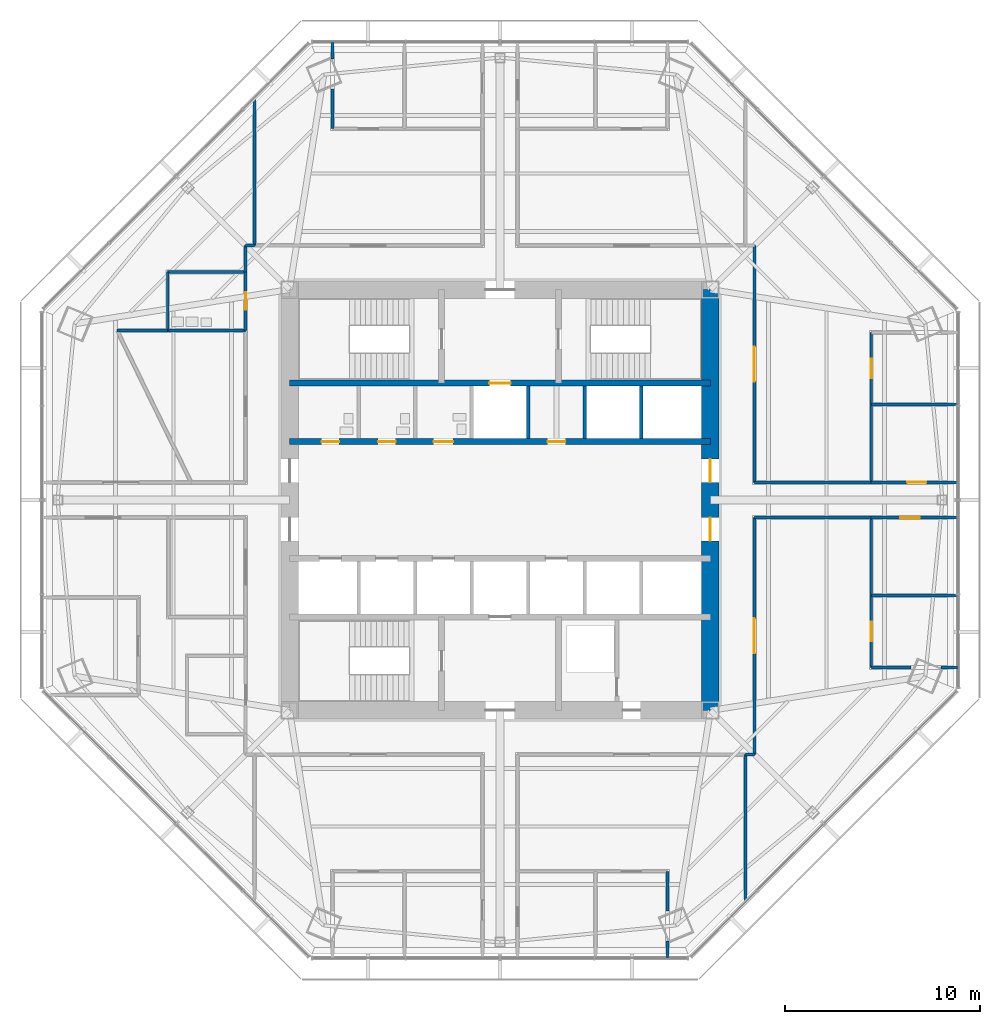
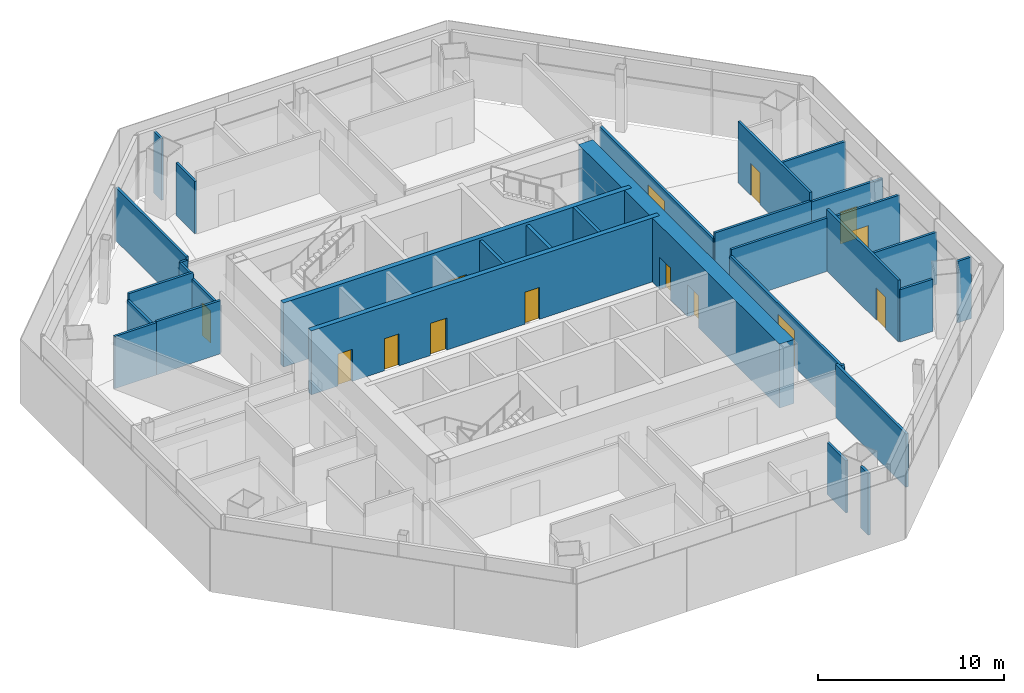
# One storey, part 10 of 15: 32 walls, 14 doors, 14 openings.
"""IFC4 building model written with IfcOpenShell, lengths in metres."""

import ifcopenshell
import ifcopenshell.guid

model = None  # the IFC model being written
_history = None  # IfcOwnerHistory: only IFC2X3 demands one
_inside = {}  # id of a spatial element -> (the spatial element, [elements in it])
_under = {}  # id of a project, library or spatial element -> (it, [spatial elements below it])
_declared = {}  # id of a project -> (the project, [libraries it declares])
_typed = {}  # id of a type object -> (the type object, [elements of that type])
_made_of = {}  # id of a material, layer set ... -> (it, [elements and type objects made of it])


def new_model(schema):
    """Start an empty IFC model of exactly this schema.

    Asked for "IFC4X3", IfcOpenShell would pick the latest addendum, in which some entities
    have other attributes; the version numbers below select the first issue.
    IFC2X3 requires an IfcOwnerHistory on every rooted entity: one is made here for all.
    """
    global model, _history
    if schema == "IFC4X3":
        model = ifcopenshell.file(schema_version=(4, 3, 0, 0))
    else:
        model = ifcopenshell.file(schema=schema)
    _inside.clear()
    _under.clear()
    _declared.clear()
    _typed.clear()
    _made_of.clear()
    _history = None
    if model.schema == "IFC2X3":
        org = make("IfcOrganization", Name="unknown")
        user = make(
            "IfcPersonAndOrganization",
            ThePerson=make("IfcPerson", FamilyName="unknown"),
            TheOrganization=org,
        )
        app = make(
            "IfcApplication",
            ApplicationDeveloper=org,
            Version="unknown",
            ApplicationFullName="unknown",
            ApplicationIdentifier="unknown",
        )
        _history = make(
            "IfcOwnerHistory",
            OwningUser=user,
            OwningApplication=app,
            ChangeAction="ADDED",
            CreationDate=0,
        )
    return model


def make(cls, **values):
    """One entity of the class cls with the attributes given. An attribute that is None is left unset."""
    return model.create_entity(
        cls, **{name: value for name, value in values.items() if value is not None}
    )


def rooted(cls, **values):
    """An entity with a GlobalId (a new one), such as an element, a storey or a relation."""
    return make(cls, GlobalId=ifcopenshell.guid.new(), OwnerHistory=_history, **values)


def si_unit(unit_type, name, prefix=None):
    """IfcSIUnit, for example si_unit("LENGTHUNIT", "METRE", prefix="MILLI")."""
    return make("IfcSIUnit", UnitType=unit_type, Prefix=prefix, Name=name)


def assignment(units):
    """IfcUnitAssignment: the units of a project."""
    return None if units is None else make("IfcUnitAssignment", Units=units)


def point(xyz):
    """IfcCartesianPoint."""
    return None if xyz is None else make("IfcCartesianPoint", Coordinates=xyz)


def direction(xyz):
    """IfcDirection."""
    return None if xyz is None else make("IfcDirection", DirectionRatios=xyz)


def frame(location, z_axis=None, x_axis=None):
    """IfcAxis2Placement3D, a coordinate frame: its origin and axes. An axis left out is left unset."""
    return make(
        "IfcAxis2Placement3D",
        Location=point(location),
        Axis=direction(z_axis),
        RefDirection=direction(x_axis),
    )


def frame_2d(location, x_axis=None):
    """IfcAxis2Placement2D, a coordinate frame in the plane: its origin and x axis."""
    return make(
        "IfcAxis2Placement2D", Location=point(location), RefDirection=direction(x_axis)
    )


def origin():
    """The frame at (0, 0, 0) with its axes left unset."""
    return frame((0.0, 0.0, 0.0))


def place(relative_to, where):
    """IfcLocalPlacement: puts the frame where relative to a parent placement (None: the world)."""
    return make(
        "IfcLocalPlacement", PlacementRelTo=relative_to, RelativePlacement=where
    )


def context(
    kind, dimensions, precision=None, world=None, true_north=None, identifier=None
):
    """IfcGeometricRepresentationContext, for example the 3D "Model" context."""
    return make(
        "IfcGeometricRepresentationContext",
        ContextIdentifier=identifier,
        ContextType=kind,
        CoordinateSpaceDimension=dimensions,
        Precision=precision,
        WorldCoordinateSystem=world,
        TrueNorth=true_north,
    )


def subcontext(parent, identifier, kind, view, scale=None):
    """IfcGeometricRepresentationSubContext, for example "Body" below "Model"."""
    return make(
        "IfcGeometricRepresentationSubContext",
        ContextIdentifier=identifier,
        ContextType=kind,
        ParentContext=parent,
        TargetScale=scale,
        TargetView=view,
    )


def project(units=None, contexts=None):
    """IfcProject with its units and contexts."""
    return rooted(
        "IfcProject",
        Name="project",
        RepresentationContexts=contexts,
        UnitsInContext=assignment(units),
    )


def spatial(cls, under=None, at=None, **own):
    """A site, building, storey or space (cls), placed at a placement, below another one or the project."""
    s = rooted(cls, ObjectPlacement=at, **own)
    if under is not None:
        _under.setdefault(under.id(), (under, []))[1].append(s)
    return s


def profile(cls, at=None, kind="AREA", **sizes):
    """A parametric profile (cls). Its sizes go by their IFC names, for example OverallWidth=200.0."""
    return make(cls, ProfileType=kind, Position=at, **sizes)


def rectangle(**sizes):
    """IfcRectangleProfileDef."""
    return profile("IfcRectangleProfileDef", **sizes)


def extrude(swept, where, along, depth):
    """IfcExtrudedAreaSolid: the profile swept, set in the frame where, extruded along a direction by depth."""
    return make(
        "IfcExtrudedAreaSolid",
        SweptArea=swept,
        Position=where,
        ExtrudedDirection=direction(along),
        Depth=depth,
    )


def shape(context_of_items, identifier, shape_type, items):
    """IfcShapeRepresentation: the items that make up one representation, for example the "Body"."""
    return make(
        "IfcShapeRepresentation",
        ContextOfItems=context_of_items,
        RepresentationIdentifier=identifier,
        RepresentationType=shape_type,
        Items=items,
    )


def material(Name=None, Category=None):
    """IfcMaterial."""
    return make("IfcMaterial", Name=Name, Category=Category)


def layer(
    of_material, thickness, ventilated=None, Name=None, Category=None, Priority=None
):
    """IfcMaterialLayer: one layer of a wall or slab, of a material (None: an air gap)."""
    return make(
        "IfcMaterialLayer",
        Material=of_material,
        LayerThickness=thickness,
        IsVentilated=ventilated,
        Name=Name,
        Category=Category,
        Priority=Priority,
    )


def layer_set(layers, Name=None):
    """IfcMaterialLayerSet."""
    return make("IfcMaterialLayerSet", MaterialLayers=layers, LayerSetName=Name)


def made_of(thing, what):
    """Note that an element or type object is made of a material, layer set ...; save() writes the relation."""
    if what is not None:
        _made_of.setdefault(what.id(), (what, []))[1].append(thing)
    return thing


def type_object(cls, material=None, **own):
    """A type object (cls), such as IfcWallType, which elements share."""
    return made_of(rooted(cls, **own), material)


def element(
    cls,
    number,
    at=None,
    inside=None,
    cuts=None,
    type_object=None,
    material=None,
    context=None,
    identifier="Body",
    shape_type=None,
    held_by="IfcProductDefinitionShape",
    body=None,
    shapes=None,
    **own,
):
    """One element of the class cls, such as IfcWall. Its Tag is "e" and its number.

    at: its placement. inside: the storey or other place that contains it. cuts: it is an
    opening in that element (IfcRelVoidsElement). A single representation is given by context,
    identifier, shape_type and body (its items); several are given by shapes. held_by: the class
    of the entity that holds the representations. save() writes the other relations.
    """
    e = rooted(cls, Tag="e%d" % number, ObjectPlacement=at, **own)
    if body is not None:
        shapes = [shape(context, identifier, shape_type, body)]
    if shapes is not None:
        e.Representation = make(held_by, Representations=shapes)
    if inside is not None:
        _inside.setdefault(inside.id(), (inside, []))[1].append(e)
    if cuts is not None:
        rooted(
            "IfcRelVoidsElement", RelatingBuildingElement=cuts, RelatedOpeningElement=e
        )
    if type_object is not None:
        _typed.setdefault(type_object.id(), (type_object, []))[1].append(e)
    return made_of(e, material)


def fill(opening, filler):
    """IfcRelFillsElement: the door or window that sits in an opening."""
    return rooted(
        "IfcRelFillsElement",
        RelatingOpeningElement=opening,
        RelatedBuildingElement=filler,
    )


def aggregate(whole, parts):
    """IfcRelAggregates: a whole, such as a stair, and the parts it consists of."""
    return rooted("IfcRelAggregates", RelatingObject=whole, RelatedObjects=parts)


def save(model, path):
    """Write the relations noted so far, then the file.

    IfcRelAggregates (storeys below a building ...), IfcRelContainedInSpatialStructure (elements
    in a storey), IfcRelDefinesByType, IfcRelAssociatesMaterial and IfcRelDeclares: one each for
    every whole, place, type object, material and project.
    """
    for whole, parts in _under.values():
        aggregate(whole, parts)
    for where, things in _inside.values():
        rooted(
            "IfcRelContainedInSpatialStructure",
            RelatedElements=things,
            RelatingStructure=where,
        )
    for kind, things in _typed.values():
        rooted("IfcRelDefinesByType", RelatedObjects=things, RelatingType=kind)
    for what, things in _made_of.values():
        rooted("IfcRelAssociatesMaterial", RelatedObjects=things, RelatingMaterial=what)
    for by, libraries in _declared.values():
        rooted("IfcRelDeclares", RelatingContext=by, RelatedDefinitions=libraries)
    model.write(path)


model = new_model("IFC4")

# Units and contexts
model_context = context("Model", 3, precision=1e-05, world=origin(), true_north=direction((0.0, 1.0)))
body_context = subcontext(model_context, "Body", "Model", "MODEL_VIEW")
ifc_project = project(units=[si_unit("LENGTHUNIT", "METRE"), si_unit("AREAUNIT", "SQUARE_METRE"), si_unit("VOLUMEUNIT", "CUBIC_METRE"), si_unit("PLANEANGLEUNIT", "RADIAN"), si_unit("MASSUNIT", "GRAM", prefix="KILO")], contexts=[model_context])

# Site, building, storey
site_placement = place(None, origin())
site = spatial("IfcSite", under=ifc_project, at=site_placement, CompositionType="ELEMENT")
building_placement = place(site_placement, origin())
building = spatial("IfcBuilding", under=site, at=building_placement, Name="Mashrafa Tower", CompositionType="ELEMENT")
storey_placement = place(building_placement, frame((0.0, 0.0, 159.60009765625)))
storey = spatial("IfcBuildingStorey", under=building, at=storey_placement, Name="L36", CompositionType="ELEMENT", Elevation=159.60009765625)

# Wall, openings, doors
ifc_material_1 = material(Name="Concrete C60/75", Category="concrete")
ifc_layer_1 = layer(ifc_material_1, 0.300048828125)
ifc_layer_set_1 = layer_set([ifc_layer_1], Name="Core wall 300 C60/75")
wall_type_1 = type_object("IfcWallType", Name="Core wall 300 C60/75", PredefinedType="SOLIDWALL", material=ifc_layer_set_1)
wall_1_placement = place(storey_placement, frame((-10.800048828125, 3.0, 0.0), z_axis=(0.0, 0.0, 1.0), x_axis=(1.0, 0.0, 0.0)))
wall_1 = element("IfcWall", 1, at=wall_1_placement, inside=storey, type_object=wall_type_1, Name="Core wall CH-N L36", PredefinedType="SOLIDWALL", context=body_context, shape_type="SweptSolid", body=[
    extrude(rectangle(XDim=21.60009765625, YDim=0.300048828125, at=frame_2d((10.800048828125, 0.0))), origin(), (0.0, 0.0, 1.0), 4.199951171875),
])
opening_1_placement = place(wall_1_placement, frame((1.64990234375, 0.0, 0.0)))
opening_1 = element("IfcOpeningElement", 2, at=opening_1_placement, cuts=wall_1, Name="Opening 36.037", PredefinedType="OPENING", context=body_context, shape_type="SweptSolid", body=[
    extrude(rectangle(XDim=0.89990234375, YDim=2.10009765625, at=frame_2d((0.449951171875, 1.050048828125))), frame((0.0, 0.159912109375, 0.0), z_axis=(0.0, -1.0, 0.0), x_axis=(1.0, 0.0, 0.0)), (0.0, 0.0, 1.0), 0.320068359375),
])
opening_2_placement = place(wall_1_placement, frame((4.550048828125, 0.0, 0.0)))
opening_2 = element("IfcOpeningElement", 3, at=opening_2_placement, cuts=wall_1, Name="Opening 36.038", PredefinedType="OPENING", context=body_context, shape_type="SweptSolid", body=[
    extrude(rectangle(XDim=0.89990234375, YDim=2.10009765625, at=frame_2d((0.449951171875, 1.050048828125))), frame((0.0, 0.159912109375, 0.0), z_axis=(0.0, -1.0, 0.0), x_axis=(1.0, 0.0, 0.0)), (0.0, 0.0, 1.0), 0.320068359375),
])
opening_3_placement = place(wall_1_placement, frame((7.39990234375, 0.0, 0.0)))
opening_3 = element("IfcOpeningElement", 4, at=opening_3_placement, cuts=wall_1, Name="Opening 36.039", PredefinedType="OPENING", context=body_context, shape_type="SweptSolid", body=[
    extrude(rectangle(XDim=1.0, YDim=2.10009765625, at=frame_2d((0.5, 1.050048828125))), frame((0.0, 0.159912109375, 0.0), z_axis=(0.0, -1.0, 0.0), x_axis=(1.0, 0.0, 0.0)), (0.0, 0.0, 1.0), 0.320068359375),
])
opening_4_placement = place(wall_1_placement, frame((13.25, 0.0, 0.0)))
opening_4 = element("IfcOpeningElement", 5, at=opening_4_placement, cuts=wall_1, Name="Opening 36.040", PredefinedType="OPENING", context=body_context, shape_type="SweptSolid", body=[
    extrude(rectangle(XDim=0.89990234375, YDim=2.10009765625, at=frame_2d((0.449951171875, 1.050048828125))), frame((0.0, 0.159912109375, 0.0), z_axis=(0.0, -1.0, 0.0), x_axis=(1.0, 0.0, 0.0)), (0.0, 0.0, 1.0), 0.320068359375),
])
ifc_material_2 = material(Name="Timber door", Category="wood")
door_type_1 = type_object("IfcDoorType", Name="Accessible toilet door 1000 x 2100", OperationType="USERDEFINED", PredefinedType="DOOR", material=ifc_material_2)
door_1_placement = place(opening_3_placement, origin())
door_1 = element("IfcDoor", 6, at=door_1_placement, inside=storey, type_object=door_type_1, Name="Accessible WC L36 door", OperationType="SINGLE_SWING_LEFT", OverallHeight=2.10009765625, OverallWidth=1.0, PredefinedType="DOOR", context=body_context, shape_type="SweptSolid", body=[
    extrude(rectangle(XDim=1.0, YDim=2.10009765625, at=frame_2d((0.5, 1.050048828125))), frame((0.0, 0.02490234375, 0.0), z_axis=(0.0, -1.0, 0.0), x_axis=(1.0, 0.0, 0.0)), (0.0, 0.0, 1.0), 0.050048828125),
])
fill(opening_3, door_1)
ifc_material_3 = material(Name="Timber door", Category="wood")
door_type_2 = type_object("IfcDoorType", Name="Store door 900 x 2100", OperationType="USERDEFINED", PredefinedType="DOOR", material=ifc_material_3)
door_2_placement = place(opening_4_placement, origin())
door_2 = element("IfcDoor", 7, at=door_2_placement, inside=storey, type_object=door_type_2, Name="Cleaner's Store L36 door", OperationType="SINGLE_SWING_LEFT", OverallHeight=2.10009765625, OverallWidth=0.89990234375, PredefinedType="DOOR", context=body_context, shape_type="SweptSolid", body=[
    extrude(rectangle(XDim=0.89990234375, YDim=2.10009765625, at=frame_2d((0.449951171875, 1.050048828125))), frame((0.0, 0.02490234375, 0.0), z_axis=(0.0, -1.0, 0.0), x_axis=(1.0, 0.0, 0.0)), (0.0, 0.0, 1.0), 0.050048828125),
])
fill(opening_4, door_2)
ifc_material_4 = material(Name="Timber door", Category="wood")
door_type_3 = type_object("IfcDoorType", Name="Toilet door 900 x 2100", OperationType="USERDEFINED", PredefinedType="DOOR", material=ifc_material_4)
door_3_placement = place(opening_1_placement, origin())
door_3 = element("IfcDoor", 8, at=door_3_placement, inside=storey, type_object=door_type_3, Name="WC Male L36 door", OperationType="SINGLE_SWING_RIGHT", OverallHeight=2.10009765625, OverallWidth=0.89990234375, PredefinedType="DOOR", context=body_context, shape_type="SweptSolid", body=[
    extrude(rectangle(XDim=0.89990234375, YDim=2.10009765625, at=frame_2d((0.449951171875, 1.050048828125))), frame((0.0, 0.02490234375, 0.0), z_axis=(0.0, -1.0, 0.0), x_axis=(1.0, 0.0, 0.0)), (0.0, 0.0, 1.0), 0.050048828125),
])
fill(opening_1, door_3)
door_4_placement = place(opening_2_placement, origin())
door_4 = element("IfcDoor", 9, at=door_4_placement, inside=storey, type_object=door_type_3, Name="WC Female L36 door", OperationType="SINGLE_SWING_LEFT", OverallHeight=2.10009765625, OverallWidth=0.89990234375, PredefinedType="DOOR", context=body_context, shape_type="SweptSolid", body=[
    extrude(rectangle(XDim=0.89990234375, YDim=2.10009765625, at=frame_2d((0.449951171875, 1.050048828125))), frame((0.0, 0.02490234375, 0.0), z_axis=(0.0, -1.0, 0.0), x_axis=(1.0, 0.0, 0.0)), (0.0, 0.0, 1.0), 0.050048828125),
])
fill(opening_2, door_4)

# Wall, opening, door
wall_2_placement = place(storey_placement, frame((-10.800048828125, 6.0, 0.0), z_axis=(0.0, 0.0, 1.0), x_axis=(1.0, 0.0, 0.0)))
wall_2 = element("IfcWall", 10, at=wall_2_placement, inside=storey, type_object=wall_type_1, Name="Core wall CB-N L36", PredefinedType="SOLIDWALL", context=body_context, shape_type="SweptSolid", body=[
    extrude(rectangle(XDim=21.60009765625, YDim=0.300048828125, at=frame_2d((10.800048828125, 0.0))), origin(), (0.0, 0.0, 1.0), 4.199951171875),
])
opening_5_placement = place(wall_2_placement, frame((10.25, 0.0, 0.0)))
opening_5 = element("IfcOpeningElement", 11, at=opening_5_placement, cuts=wall_2, Name="Opening 36.F1", PredefinedType="OPENING", context=body_context, shape_type="SweptSolid", body=[
    extrude(rectangle(XDim=1.10009765625, YDim=2.10009765625, at=frame_2d((0.550048828125, 1.050048828125))), frame((0.0, 0.159912109375, 0.0), z_axis=(0.0, -1.0, 0.0), x_axis=(1.0, 0.0, 0.0)), (0.0, 0.0, 1.0), 0.320068359375),
])
ifc_material_5 = material(Name="Steel door", Category="steel")
door_type_4 = type_object("IfcDoorType", Name="Lift landing door 1100 x 2100 90 min", OperationType="DOUBLE_DOOR_SLIDING", PredefinedType="DOOR", material=ifc_material_5)
door_5_placement = place(opening_5_placement, origin())
door_5 = element("IfcDoor", 12, at=door_5_placement, inside=storey, type_object=door_type_4, Name="Lift landing door F1 L36", OperationType="DOUBLE_DOOR_SLIDING", OverallHeight=2.10009765625, OverallWidth=1.10009765625, PredefinedType="DOOR", context=body_context, shape_type="SweptSolid", body=[
    extrude(rectangle(XDim=1.10009765625, YDim=2.10009765625, at=frame_2d((0.550048828125, 1.050048828125))), frame((0.0, 0.02490234375, 0.0), z_axis=(0.0, -1.0, 0.0), x_axis=(1.0, 0.0, 0.0)), (0.0, 0.0, 1.0), 0.050048828125),
])
fill(opening_5, door_5)

# Wall, openings, doors
ifc_material_6 = material(Name="Concrete C60/75", Category="concrete")
ifc_layer_2 = layer(ifc_material_6, 0.89990234375)
ifc_layer_set_2 = layer_set([ifc_layer_2], Name="Core wall 900 C60/75")
wall_type_2 = type_object("IfcWallType", Name="Core wall 900 C60/75", PredefinedType="SOLIDWALL", material=ifc_layer_set_2)
wall_3_placement = place(storey_placement, frame((10.800048828125, -10.800048828125, 0.0), z_axis=(0.0, 0.0, 1.0), x_axis=(0.0, 1.0, 0.0)))
wall_3 = element("IfcWall", 13, at=wall_3_placement, inside=storey, type_object=wall_type_2, Name="Core wall CW-E L36", PredefinedType="SOLIDWALL", context=body_context, shape_type="SweptSolid", body=[
    extrude(rectangle(XDim=21.60009765625, YDim=0.89990234375, at=frame_2d((10.800048828125, 0.0))), origin(), (0.0, 0.0, 1.0), 4.199951171875),
])
opening_6_placement = place(wall_3_placement, frame((11.699951171875, 0.0, 0.0)))
opening_6 = element("IfcOpeningElement", 14, at=opening_6_placement, cuts=wall_3, Name="Opening 36.026", PredefinedType="OPENING", context=body_context, shape_type="SweptSolid", body=[
    extrude(rectangle(XDim=1.199951171875, YDim=2.10009765625, at=frame_2d((0.60009765625, 1.050048828125))), frame((0.0, 0.4599609375, 0.0), z_axis=(0.0, -1.0, 0.0), x_axis=(1.0, 0.0, 0.0)), (0.0, 0.0, 1.0), 0.919921875),
])
opening_7_placement = place(wall_3_placement, frame((8.699951171875, 0.0, 0.0)))
opening_7 = element("IfcOpeningElement", 15, at=opening_7_placement, cuts=wall_3, Name="Opening 36.028", PredefinedType="OPENING", context=body_context, shape_type="SweptSolid", body=[
    extrude(rectangle(XDim=1.199951171875, YDim=2.10009765625, at=frame_2d((0.60009765625, 1.050048828125))), frame((0.0, 0.4599609375, 0.0), z_axis=(0.0, -1.0, 0.0), x_axis=(1.0, 0.0, 0.0)), (0.0, 0.0, 1.0), 0.919921875),
])
ifc_material_7 = material(Name="Steel door", Category="steel")
door_type_5 = type_object("IfcDoorType", Name="Lift hall door 1200 x 2100 90 min", OperationType="USERDEFINED", PredefinedType="DOOR", material=ifc_material_7)
door_6_placement = place(opening_6_placement, frame((1.199951171875, 0.0, 0.0), z_axis=(0.0, 0.0, 1.0), x_axis=(-1.0, 0.0, 0.0)))
door_6 = element("IfcDoor", 16, at=door_6_placement, inside=storey, type_object=door_type_5, Name="Lift hall door east L36", OperationType="SINGLE_SWING_LEFT", OverallHeight=2.10009765625, OverallWidth=1.199951171875, PredefinedType="DOOR", context=body_context, shape_type="SweptSolid", body=[
    extrude(rectangle(XDim=1.199951171875, YDim=2.10009765625, at=frame_2d((0.60009765625, 1.050048828125))), frame((0.0, 0.02490234375, 0.0), z_axis=(0.0, -1.0, 0.0), x_axis=(1.0, 0.0, 0.0)), (0.0, 0.0, 1.0), 0.050048828125),
])
fill(opening_6, door_6)
door_7_placement = place(opening_7_placement, frame((1.199951171875, 0.0, 0.0), z_axis=(0.0, 0.0, 1.0), x_axis=(-1.0, 0.0, 0.0)))
door_7 = element("IfcDoor", 17, at=door_7_placement, inside=storey, type_object=door_type_5, Name="Lift hall door east L36", OperationType="SINGLE_SWING_RIGHT", OverallHeight=2.10009765625, OverallWidth=1.199951171875, PredefinedType="DOOR", context=body_context, shape_type="SweptSolid", body=[
    extrude(rectangle(XDim=1.199951171875, YDim=2.10009765625, at=frame_2d((0.60009765625, 1.050048828125))), frame((0.0, 0.02490234375, 0.0), z_axis=(0.0, -1.0, 0.0), x_axis=(1.0, 0.0, 0.0)), (0.0, 0.0, 1.0), 0.050048828125),
])
fill(opening_7, door_7)

# Wall, opening, door
ifc_material_8 = material(Name="Gypsum board on steel studs", Category="steel")
ifc_layer_3 = layer(ifc_material_8, 0.14990234375)
ifc_layer_set_3 = layer_set([ifc_layer_3], Name="Corridor partition 150 1 hr")
wall_type_3 = type_object("IfcWallType", Name="Corridor partition 150 1 hr", PredefinedType="PARTITIONING", material=ifc_layer_set_3)
wall_4_placement = place(storey_placement, frame((-13.050048828125, 11.700927734375, 0.0), z_axis=(0.0, 0.0, 1.0), x_axis=(0.0, -1.0, 0.0)))
wall_4 = element("IfcWall", 18, at=wall_4_placement, inside=storey, type_object=wall_type_3, Name="Corridor wall L36-003", PredefinedType="PARTITIONING", context=body_context, shape_type="SweptSolid", body=[
    extrude(rectangle(XDim=3.001953125, YDim=0.14990234375, at=frame_2d((1.5009765625, 0.0))), origin(), (0.0, 0.0, 1.0), 3.097900390625),
])
opening_8_placement = place(wall_4_placement, frame((1.051025390625, 0.0, 0.0)))
opening_8 = element("IfcOpeningElement", 19, at=opening_8_placement, cuts=wall_4, Name="Opening 36.002", PredefinedType="OPENING", context=body_context, shape_type="SweptSolid", body=[
    extrude(rectangle(XDim=0.89990234375, YDim=2.10009765625, at=frame_2d((0.449951171875, 1.050048828125))), frame((0.0, 0.0849609375, 0.0), z_axis=(0.0, -1.0, 0.0), x_axis=(1.0, 0.0, 0.0)), (0.0, 0.0, 1.0), 0.169921875),
])
door_8_placement = place(opening_8_placement, frame((0.89990234375, 0.0, 0.0), z_axis=(0.0, 0.0, 1.0), x_axis=(-1.0, 0.0, 0.0)))
door_8 = element("IfcDoor", 20, at=door_8_placement, inside=storey, type_object=door_type_3, Name="Ablution Room L36 door", OperationType="SINGLE_SWING_RIGHT", OverallHeight=2.10009765625, OverallWidth=0.89990234375, PredefinedType="DOOR", context=body_context, shape_type="SweptSolid", body=[
    extrude(rectangle(XDim=0.89990234375, YDim=2.10009765625, at=frame_2d((0.449951171875, 1.050048828125))), frame((0.0, 0.02490234375, 0.0), z_axis=(0.0, -1.0, 0.0), x_axis=(1.0, 0.0, 0.0)), (0.0, 0.0, 1.0), 0.050048828125),
])
fill(opening_8, door_8)

wall_5_placement = place(storey_placement, frame((23.48388671875, 0.89990234375, 0.0), z_axis=(0.0, 0.0, 1.0), x_axis=(-1.0, 0.0, 0.0)))
wall_5 = element("IfcWall", 21, at=wall_5_placement, inside=storey, type_object=wall_type_3, Name="Corridor wall L36-004", PredefinedType="PARTITIONING", context=body_context, shape_type="SweptSolid", body=[
    extrude(rectangle(XDim=4.43505859375, YDim=0.14990234375, at=frame_2d((2.217529296875, 0.0))), origin(), (0.0, 0.0, 1.0), 3.4228515625),
])
opening_9_placement = place(wall_5_placement, frame((1.599609375, 0.0, 0.0)))
opening_9 = element("IfcOpeningElement", 22, at=opening_9_placement, cuts=wall_5, Name="Opening 36.003", PredefinedType="OPENING", context=body_context, shape_type="SweptSolid", body=[
    extrude(rectangle(XDim=1.0, YDim=2.10009765625, at=frame_2d((0.5, 1.050048828125))), frame((0.0, 0.0849609375, 0.0), z_axis=(0.0, -1.0, 0.0), x_axis=(1.0, 0.0, 0.0)), (0.0, 0.0, 1.0), 0.169921875),
])
ifc_material_9 = material(Name="Timber door", Category="wood")
door_type_6 = type_object("IfcDoorType", Name="Door 1000 x 2100", OperationType="USERDEFINED", PredefinedType="DOOR", material=ifc_material_9)
door_9_placement = place(opening_9_placement, frame((1.0, 0.0, 0.0), z_axis=(0.0, 0.0, 1.0), x_axis=(-1.0, 0.0, 0.0)))
door_9 = element("IfcDoor", 23, at=door_9_placement, inside=storey, type_object=door_type_6, Name="Serviced Office 36-EA-1 door", OperationType="SINGLE_SWING_RIGHT", OverallHeight=2.10009765625, OverallWidth=1.0, PredefinedType="DOOR", context=body_context, shape_type="SweptSolid", body=[
    extrude(rectangle(XDim=1.0, YDim=2.10009765625, at=frame_2d((0.5, 1.050048828125))), frame((0.0, 0.02490234375, 0.0), z_axis=(0.0, -1.0, 0.0), x_axis=(1.0, 0.0, 0.0)), (0.0, 0.0, 1.0), 0.050048828125),
])
fill(opening_9, door_9)

wall_6_placement = place(storey_placement, frame((19.048828125, -0.89990234375, 0.0), z_axis=(0.0, 0.0, 1.0), x_axis=(1.0, 0.0, 0.0)))
wall_6 = element("IfcWall", 24, at=wall_6_placement, inside=storey, type_object=wall_type_3, Name="Corridor wall L36-005", PredefinedType="PARTITIONING", context=body_context, shape_type="SweptSolid", body=[
    extrude(rectangle(XDim=4.43505859375, YDim=0.14990234375, at=frame_2d((2.217529296875, 0.0))), origin(), (0.0, 0.0, 1.0), 3.4228515625),
])
opening_10_placement = place(wall_6_placement, frame((1.50048828125, 0.0, 0.0)))
opening_10 = element("IfcOpeningElement", 25, at=opening_10_placement, cuts=wall_6, Name="Opening 36.006", PredefinedType="OPENING", context=body_context, shape_type="SweptSolid", body=[
    extrude(rectangle(XDim=1.0, YDim=2.10009765625, at=frame_2d((0.5, 1.050048828125))), frame((0.0, 0.0849609375, 0.0), z_axis=(0.0, -1.0, 0.0), x_axis=(1.0, 0.0, 0.0)), (0.0, 0.0, 1.0), 0.169921875),
])
door_10_placement = place(opening_10_placement, frame((1.0, 0.0, 0.0), z_axis=(0.0, 0.0, 1.0), x_axis=(-1.0, 0.0, 0.0)))
door_10 = element("IfcDoor", 26, at=door_10_placement, inside=storey, type_object=door_type_6, Name="Serviced Office 36-EB-2 door", OperationType="SINGLE_SWING_RIGHT", OverallHeight=2.10009765625, OverallWidth=1.0, PredefinedType="DOOR", context=body_context, shape_type="SweptSolid", body=[
    extrude(rectangle(XDim=1.0, YDim=2.10009765625, at=frame_2d((0.5, 1.050048828125))), frame((0.0, 0.02490234375, 0.0), z_axis=(0.0, -1.0, 0.0), x_axis=(1.0, 0.0, 0.0)), (0.0, 0.0, 1.0), 0.050048828125),
])
fill(opening_10, door_10)

# Wall
wall_7_placement = place(storey_placement, frame((19.05078125, 0.89990234375, 0.0), z_axis=(0.0, 0.0, 1.0), x_axis=(-1.0, 0.0, 0.0)))
element("IfcWall", 27, at=wall_7_placement, inside=storey, type_object=wall_type_3, Name="Corridor wall L36-013", PredefinedType="PARTITIONING", context=body_context, shape_type="SweptSolid", body=[
    extrude(rectangle(XDim=6.000732421875, YDim=0.14990234375, at=frame_2d((3.00048828125, 0.0))), origin(), (0.0, 0.0, 1.0), 3.491455078125),
])

# Wall, opening, door
wall_8_placement = place(storey_placement, frame((13.050048828125, 0.89990234375, 0.0), z_axis=(0.0, 0.0, 1.0), x_axis=(0.0, 1.0, 0.0)))
wall_8 = element("IfcWall", 28, at=wall_8_placement, inside=storey, type_object=wall_type_3, Name="Corridor wall L36-014", PredefinedType="PARTITIONING", context=body_context, shape_type="SweptSolid", body=[
    extrude(rectangle(XDim=12.150146484375, YDim=0.14990234375, at=frame_2d((6.0751953125, 0.0))), origin(), (0.0, 0.0, 1.0), 3.097900390625),
])
opening_11_placement = place(wall_8_placement, frame((5.175048828125, 0.0, 0.0)))
opening_11 = element("IfcOpeningElement", 29, at=opening_11_placement, cuts=wall_8, Name="Opening 36.018", PredefinedType="OPENING", context=body_context, shape_type="SweptSolid", body=[
    extrude(rectangle(XDim=1.800048828125, YDim=2.39990234375, at=frame_2d((0.89990234375, 1.199951171875))), frame((0.0, 0.0849609375, 0.0), z_axis=(0.0, -1.0, 0.0), x_axis=(1.0, 0.0, 0.0)), (0.0, 0.0, 1.0), 0.169921875),
])
ifc_material_10 = material(Name="Timber door", Category="wood")
door_type_7 = type_object("IfcDoorType", Name="Door pair 1800 x 2400", OperationType="DOUBLE_DOOR_SINGLE_SWING", PredefinedType="DOOR", material=ifc_material_10)
door_11_placement = place(opening_11_placement, frame((1.800048828125, 0.0, 0.0), z_axis=(0.0, 0.0, 1.0), x_axis=(-1.0, 0.0, 0.0)))
door_11 = element("IfcDoor", 30, at=door_11_placement, inside=storey, type_object=door_type_7, Name="Business Centre Suite 36-NE1 door", OperationType="DOUBLE_DOOR_SINGLE_SWING", OverallHeight=2.39990234375, OverallWidth=1.800048828125, PredefinedType="DOOR", context=body_context, shape_type="SweptSolid", body=[
    extrude(rectangle(XDim=1.800048828125, YDim=2.39990234375, at=frame_2d((0.89990234375, 1.199951171875))), frame((0.0, 0.02490234375, 0.0), z_axis=(0.0, -1.0, 0.0), x_axis=(1.0, 0.0, 0.0)), (0.0, 0.0, 1.0), 0.050048828125),
])
fill(opening_11, door_11)

# Walls
wall_9_placement = place(storey_placement, frame((-12.59912109375, 13.050048828125, 0.0), z_axis=(0.0, 0.0, 1.0), x_axis=(-1.0, 0.0, 0.0)))
element("IfcWall", 31, at=wall_9_placement, inside=storey, type_object=wall_type_3, Name="Corridor wall L36-019", PredefinedType="PARTITIONING", context=body_context, shape_type="SweptSolid", body=[
    extrude(rectangle(XDim=0.450927734375, YDim=0.14990234375, at=frame_2d((0.2255859375, 0.0))), origin(), (0.0, 0.0, 1.0), 3.33154296875),
])
wall_10_placement = place(storey_placement, frame((-13.050048828125, 13.050048828125, 0.0), z_axis=(0.0, 0.0, 1.0), x_axis=(0.0, -1.0, 0.0)))
element("IfcWall", 32, at=wall_10_placement, inside=storey, type_object=wall_type_3, Name="Corridor wall L36-020", PredefinedType="PARTITIONING", context=body_context, shape_type="SweptSolid", body=[
    extrude(rectangle(XDim=1.35107421875, YDim=0.14990234375, at=frame_2d((0.675537109375, 0.0))), origin(), (0.0, 0.0, 1.0), 3.33154296875),
])
wall_11_placement = place(storey_placement, frame((12.59912109375, -13.050048828125, 0.0), z_axis=(0.0, 0.0, 1.0), x_axis=(1.0, 0.0, 0.0)))
element("IfcWall", 33, at=wall_11_placement, inside=storey, type_object=wall_type_3, Name="Corridor wall L36-029", PredefinedType="PARTITIONING", context=body_context, shape_type="SweptSolid", body=[
    extrude(rectangle(XDim=0.450927734375, YDim=0.14990234375, at=frame_2d((0.2255859375, 0.0))), origin(), (0.0, 0.0, 1.0), 3.33154296875),
])

# Wall, opening, door
wall_12_placement = place(storey_placement, frame((13.050048828125, -13.050048828125, 0.0), z_axis=(0.0, 0.0, 1.0), x_axis=(0.0, 1.0, 0.0)))
wall_12 = element("IfcWall", 34, at=wall_12_placement, inside=storey, type_object=wall_type_3, Name="Corridor wall L36-030", PredefinedType="PARTITIONING", context=body_context, shape_type="SweptSolid", body=[
    extrude(rectangle(XDim=12.150146484375, YDim=0.14990234375, at=frame_2d((6.0751953125, 0.0))), origin(), (0.0, 0.0, 1.0), 3.097900390625),
])
opening_12_placement = place(wall_12_placement, frame((5.175048828125, 0.0, 0.0)))
opening_12 = element("IfcOpeningElement", 35, at=opening_12_placement, cuts=wall_12, Name="Opening 36.024", PredefinedType="OPENING", context=body_context, shape_type="SweptSolid", body=[
    extrude(rectangle(XDim=1.800048828125, YDim=2.39990234375, at=frame_2d((0.89990234375, 1.199951171875))), frame((0.0, 0.0849609375, 0.0), z_axis=(0.0, -1.0, 0.0), x_axis=(1.0, 0.0, 0.0)), (0.0, 0.0, 1.0), 0.169921875),
])
door_12_placement = place(opening_12_placement, frame((1.800048828125, 0.0, 0.0), z_axis=(0.0, 0.0, 1.0), x_axis=(-1.0, 0.0, 0.0)))
door_12 = element("IfcDoor", 36, at=door_12_placement, inside=storey, type_object=door_type_7, Name="Business Centre Suite 36-SE1 door", OperationType="DOUBLE_DOOR_SINGLE_SWING", OverallHeight=2.39990234375, OverallWidth=1.800048828125, PredefinedType="DOOR", context=body_context, shape_type="SweptSolid", body=[
    extrude(rectangle(XDim=1.800048828125, YDim=2.39990234375, at=frame_2d((0.89990234375, 1.199951171875))), frame((0.0, 0.02490234375, 0.0), z_axis=(0.0, -1.0, 0.0), x_axis=(1.0, 0.0, 0.0)), (0.0, 0.0, 1.0), 0.050048828125),
])
fill(opening_12, door_12)

# Walls
wall_13_placement = place(storey_placement, frame((13.050048828125, -0.89990234375, 0.0), z_axis=(0.0, 0.0, 1.0), x_axis=(1.0, 0.0, 0.0)))
element("IfcWall", 37, at=wall_13_placement, inside=storey, type_object=wall_type_3, Name="Corridor wall L36-031", PredefinedType="PARTITIONING", context=body_context, shape_type="SweptSolid", body=[
    extrude(rectangle(XDim=6.000732421875, YDim=0.14990234375, at=frame_2d((3.00048828125, 0.0))), origin(), (0.0, 0.0, 1.0), 3.491455078125),
])
ifc_material_11 = material(Name="Gypsum board on steel studs", Category="steel")
ifc_layer_4 = layer(ifc_material_11, 0.14990234375)
ifc_layer_set_4 = layer_set([ifc_layer_4], Name="Partition 150")
wall_type_4 = type_object("IfcWallType", Name="Partition 150", PredefinedType="PARTITIONING", material=ifc_layer_set_4)
wall_14_placement = place(storey_placement, frame((-13.050048828125, 8.699951171875, 0.0), z_axis=(0.0, 0.0, 1.0), x_axis=(-1.0, 0.0, 0.0)))
element("IfcWall", 38, at=wall_14_placement, inside=storey, type_object=wall_type_4, Name="Partition wall L36-034", PredefinedType="PARTITIONING", context=body_context, shape_type="SweptSolid", body=[
    extrude(rectangle(XDim=4.0009765625, YDim=0.14990234375, at=frame_2d((2.00048828125, 0.0))), origin(), (0.0, 0.0, 1.0), 3.491455078125),
])
wall_15_placement = place(storey_placement, frame((-17.049072265625, 8.699951171875, 0.0), z_axis=(0.0, 0.0, 1.0), x_axis=(-1.0, 0.0, 0.0)))
element("IfcWall", 39, at=wall_15_placement, inside=storey, type_object=wall_type_4, Name="Partition wall L36-035", PredefinedType="PARTITIONING", context=body_context, shape_type="SweptSolid", body=[
    extrude(rectangle(XDim=2.600830078125, YDim=0.14990234375, at=frame_2d((1.30029296875, 0.0))), origin(), (0.0, 0.0, 1.0), 3.4228515625),
])
wall_16_placement = place(storey_placement, frame((-13.050048828125, 11.699951171875, 0.0), z_axis=(0.0, 0.0, 1.0), x_axis=(-1.0, 0.0, 0.0)))
element("IfcWall", 40, at=wall_16_placement, inside=storey, type_object=wall_type_4, Name="Partition wall L36-037", PredefinedType="PARTITIONING", context=body_context, shape_type="SweptSolid", body=[
    extrude(rectangle(XDim=4.0, YDim=0.14990234375, at=frame_2d((2.0, 0.0))), origin(), (0.0, 0.0, 1.0), 3.4990234375),
])
wall_17_placement = place(storey_placement, frame((-17.050048828125, 11.699951171875, 0.0), z_axis=(0.0, 0.0, 1.0), x_axis=(0.0, -1.0, 0.0)))
element("IfcWall", 41, at=wall_17_placement, inside=storey, type_object=wall_type_4, Name="Partition wall L36-038", PredefinedType="PARTITIONING", context=body_context, shape_type="SweptSolid", body=[
    extrude(rectangle(XDim=3.0, YDim=0.14990234375, at=frame_2d((1.5, 0.0))), origin(), (0.0, 0.0, 1.0), 3.097900390625),
])
wall_18_placement = place(storey_placement, frame((23.48193359375, 4.89990234375, 0.0), z_axis=(0.0, 0.0, 1.0), x_axis=(-1.0, 0.0, 0.0)))
element("IfcWall", 42, at=wall_18_placement, inside=storey, type_object=wall_type_4, Name="Partition wall L36-039", PredefinedType="PARTITIONING", context=body_context, shape_type="SweptSolid", body=[
    extrude(rectangle(XDim=4.43212890625, YDim=0.14990234375, at=frame_2d((2.216064453125, 0.0))), origin(), (0.0, 0.0, 1.0), 3.4228515625),
])

# Wall, opening, door
wall_19_placement = place(storey_placement, frame((19.0498046875, 0.89990234375, 0.0), z_axis=(0.0, 0.0, 1.0), x_axis=(0.0, 1.0, 0.0)))
wall_19 = element("IfcWall", 43, at=wall_19_placement, inside=storey, type_object=wall_type_4, Name="Partition wall L36-040", PredefinedType="PARTITIONING", context=body_context, shape_type="SweptSolid", body=[
    extrude(rectangle(XDim=7.7001953125, YDim=0.14990234375, at=frame_2d((3.85009765625, 0.0))), origin(), (0.0, 0.0, 1.0), 4.034912109375),
])
opening_13_placement = place(wall_19_placement, frame((5.35009765625, 0.0, 0.0)))
opening_13 = element("IfcOpeningElement", 44, at=opening_13_placement, cuts=wall_19, Name="Opening 36.004", PredefinedType="OPENING", context=body_context, shape_type="SweptSolid", body=[
    extrude(rectangle(XDim=1.0, YDim=2.10009765625, at=frame_2d((0.5, 1.050048828125))), frame((0.0, 0.0849609375, 0.0), z_axis=(0.0, -1.0, 0.0), x_axis=(1.0, 0.0, 0.0)), (0.0, 0.0, 1.0), 0.169921875),
])
door_13_placement = place(opening_13_placement, frame((1.0, 0.0, 0.0), z_axis=(0.0, 0.0, 1.0), x_axis=(-1.0, 0.0, 0.0)))
door_13 = element("IfcDoor", 45, at=door_13_placement, inside=storey, type_object=door_type_6, Name="Serviced Office 36-NE1 door", OperationType="SINGLE_SWING_RIGHT", OverallHeight=2.10009765625, OverallWidth=1.0, PredefinedType="DOOR", context=body_context, shape_type="SweptSolid", body=[
    extrude(rectangle(XDim=1.0, YDim=2.10009765625, at=frame_2d((0.5, 1.050048828125))), frame((0.0, 0.02490234375, 0.0), z_axis=(0.0, -1.0, 0.0), x_axis=(1.0, 0.0, 0.0)), (0.0, 0.0, 1.0), 0.050048828125),
])
fill(opening_13, door_13)

# Wall
wall_20_placement = place(storey_placement, frame((23.48193359375, -4.89990234375, 0.0), z_axis=(0.0, 0.0, 1.0), x_axis=(-1.0, 0.0, 0.0)))
element("IfcWall", 46, at=wall_20_placement, inside=storey, type_object=wall_type_4, Name="Partition wall L36-044", PredefinedType="PARTITIONING", context=body_context, shape_type="SweptSolid", body=[
    extrude(rectangle(XDim=4.43212890625, YDim=0.14990234375, at=frame_2d((2.216064453125, 0.0))), origin(), (0.0, 0.0, 1.0), 3.4228515625),
])

# Wall, opening, door
wall_21_placement = place(storey_placement, frame((19.0498046875, -8.60009765625, 0.0), z_axis=(0.0, 0.0, 1.0), x_axis=(0.0, 1.0, 0.0)))
wall_21 = element("IfcWall", 47, at=wall_21_placement, inside=storey, type_object=wall_type_4, Name="Partition wall L36-045", PredefinedType="PARTITIONING", context=body_context, shape_type="SweptSolid", body=[
    extrude(rectangle(XDim=7.7001953125, YDim=0.14990234375, at=frame_2d((3.85009765625, 0.0))), origin(), (0.0, 0.0, 1.0), 4.034912109375),
])
opening_14_placement = place(wall_21_placement, frame((1.35009765625, 0.0, 0.0)))
opening_14 = element("IfcOpeningElement", 48, at=opening_14_placement, cuts=wall_21, Name="Opening 36.005", PredefinedType="OPENING", context=body_context, shape_type="SweptSolid", body=[
    extrude(rectangle(XDim=1.0, YDim=2.10009765625, at=frame_2d((0.5, 1.050048828125))), frame((0.0, 0.0849609375, 0.0), z_axis=(0.0, -1.0, 0.0), x_axis=(1.0, 0.0, 0.0)), (0.0, 0.0, 1.0), 0.169921875),
])
door_14_placement = place(opening_14_placement, frame((1.0, 0.0, 0.0), z_axis=(0.0, 0.0, 1.0), x_axis=(-1.0, 0.0, 0.0)))
door_14 = element("IfcDoor", 49, at=door_14_placement, inside=storey, type_object=door_type_6, Name="Serviced Office 36-SE1 door", OperationType="SINGLE_SWING_RIGHT", OverallHeight=2.10009765625, OverallWidth=1.0, PredefinedType="DOOR", context=body_context, shape_type="SweptSolid", body=[
    extrude(rectangle(XDim=1.0, YDim=2.10009765625, at=frame_2d((0.5, 1.050048828125))), frame((0.0, 0.02490234375, 0.0), z_axis=(0.0, -1.0, 0.0), x_axis=(1.0, 0.0, 0.0)), (0.0, 0.0, 1.0), 0.050048828125),
])
fill(opening_14, door_14)

# Walls
wall_22_placement = place(storey_placement, frame((19.0498046875, -8.60009765625, 0.0), z_axis=(0.0, 0.0, 1.0), x_axis=(1.0, 0.0, 0.0)))
element("IfcWall", 50, at=wall_22_placement, inside=storey, type_object=wall_type_4, Name="Partition wall L36-046", PredefinedType="PARTITIONING", context=body_context, shape_type="SweptSolid", body=[
    extrude(rectangle(XDim=2.035888671875, YDim=0.14990234375, at=frame_2d((1.01806640625, 0.0))), origin(), (0.0, 0.0, 1.0), 3.4228515625),
])
for number, where, z_axis, x_axis, name in (
    (51, (22.64111328125, -8.60009765625, 0.0), (0.0, 0.0, 1.0), (1.0, 0.0, 0.0), "Partition wall L36-047"),
    (52, (-8.60009765625, 23.48193359375, 0.0), (0.0, 0.0, 1.0), (0.0, -1.0, 0.0), "Partition wall L36-051"),
):
    element("IfcWall", number, at=place(storey_placement, frame(where, z_axis=z_axis, x_axis=x_axis)), inside=storey, type_object=wall_type_4, Name=name, PredefinedType="PARTITIONING", context=body_context, shape_type="SweptSolid", body=[
        extrude(rectangle(XDim=0.8408203125, YDim=0.14990234375, at=frame_2d((0.42041015625, 0.0))), origin(), (0.0, 0.0, 1.0), 4.034912109375),
    ])
wall_23_placement = place(storey_placement, frame((-8.60009765625, 21.085693359375, 0.0), z_axis=(0.0, 0.0, 1.0), x_axis=(0.0, -1.0, 0.0)))
element("IfcWall", 53, at=wall_23_placement, inside=storey, type_object=wall_type_4, Name="Partition wall L36-052", PredefinedType="PARTITIONING", context=body_context, shape_type="SweptSolid", body=[
    extrude(rectangle(XDim=2.035888671875, YDim=0.14990234375, at=frame_2d((1.01806640625, 0.0))), origin(), (0.0, 0.0, 1.0), 3.4228515625),
])
wall_24_placement = place(storey_placement, frame((8.60009765625, -23.48193359375, 0.0), z_axis=(0.0, 0.0, 1.0), x_axis=(0.0, 1.0, 0.0)))
element("IfcWall", 54, at=wall_24_placement, inside=storey, type_object=wall_type_4, Name="Partition wall L36-061", PredefinedType="PARTITIONING", context=body_context, shape_type="SweptSolid", body=[
    extrude(rectangle(XDim=0.8408203125, YDim=0.14990234375, at=frame_2d((0.42041015625, 0.0))), origin(), (0.0, 0.0, 1.0), 4.034912109375),
])
wall_25_placement = place(storey_placement, frame((8.60009765625, -21.085693359375, 0.0), z_axis=(0.0, 0.0, 1.0), x_axis=(0.0, 1.0, 0.0)))
element("IfcWall", 55, at=wall_25_placement, inside=storey, type_object=wall_type_4, Name="Partition wall L36-062", PredefinedType="PARTITIONING", context=body_context, shape_type="SweptSolid", body=[
    extrude(rectangle(XDim=2.035888671875, YDim=0.14990234375, at=frame_2d((1.01806640625, 0.0))), origin(), (0.0, 0.0, 1.0), 3.4228515625),
])
for number, where, z_axis, x_axis, name in (
    (56, (-12.60009765625, 13.050048828125, 0.0), (0.0, 0.0, 1.0), (0.0, 1.0, 0.0), "Partition wall L36-078"),
    (57, (12.60009765625, -13.050048828125, 0.0), (0.0, 0.0, 1.0), (0.0, -1.0, 0.0), "Partition wall L36-080"),
):
    element("IfcWall", number, at=place(storey_placement, frame(where, z_axis=z_axis, x_axis=x_axis)), inside=storey, type_object=wall_type_4, Name=name, PredefinedType="PARTITIONING", context=body_context, shape_type="SweptSolid", body=[
        extrude(rectangle(XDim=7.56005859375, YDim=0.14990234375, at=frame_2d((3.780029296875, 0.0))), origin(), (0.0, 0.0, 1.0), 3.4990234375),
    ])
ifc_material_12 = material(Name="Gypsum shaft wall on steel studs", Category="steel")
ifc_layer_5 = layer(ifc_material_12, 0.199951171875)
ifc_layer_set_5 = layer_set([ifc_layer_5], Name="Shaft divider wall 200 2 hr")
wall_type_5 = type_object("IfcWallType", Name="Shaft divider wall 200 2 hr", PredefinedType="PARTITIONING", material=ifc_layer_set_5)
for number, where, z_axis, x_axis, name in (
    (58, (1.449951171875, 3.14990234375, 0.0), (0.0, 0.0, 1.0), (0.0, 1.0, 0.0), "Shaft divider wall N4 L36"),
    (59, (4.35009765625, 3.14990234375, 0.0), (0.0, 0.0, 1.0), (0.0, 1.0, 0.0), "Shaft divider wall N5 L36"),
):
    element("IfcWall", number, at=place(storey_placement, frame(where, z_axis=z_axis, x_axis=x_axis)), inside=storey, type_object=wall_type_5, Name=name, PredefinedType="PARTITIONING", context=body_context, shape_type="SweptSolid", body=[
        extrude(rectangle(XDim=2.7001953125, YDim=0.199951171875, at=frame_2d((1.35009765625, 0.0))), origin(), (0.0, 0.0, 1.0), 4.034912109375),
    ])
wall_26_placement = place(storey_placement, frame((7.25, 3.14990234375, 0.0), z_axis=(0.0, 0.0, 1.0), x_axis=(0.0, 1.0, 0.0)))
element("IfcWall", 60, at=wall_26_placement, inside=storey, type_object=wall_type_5, Name="Shaft divider wall N6 L36", PredefinedType="PARTITIONING", context=body_context, shape_type="SweptSolid", body=[
    extrude(rectangle(XDim=2.7001953125, YDim=0.199951171875, at=frame_2d((1.35009765625, 0.0))), origin(), (0.0, 0.0, 1.0), 4.199951171875),
])

save(model, "model.ifc")
